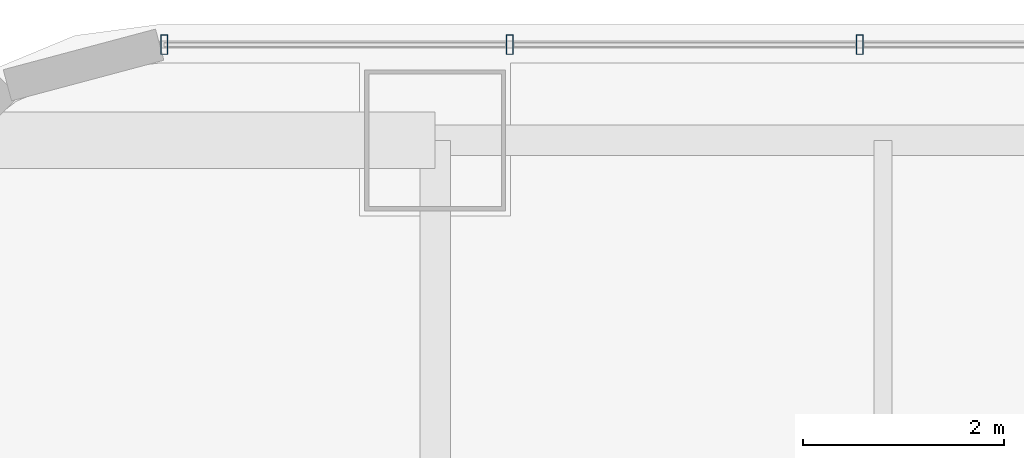
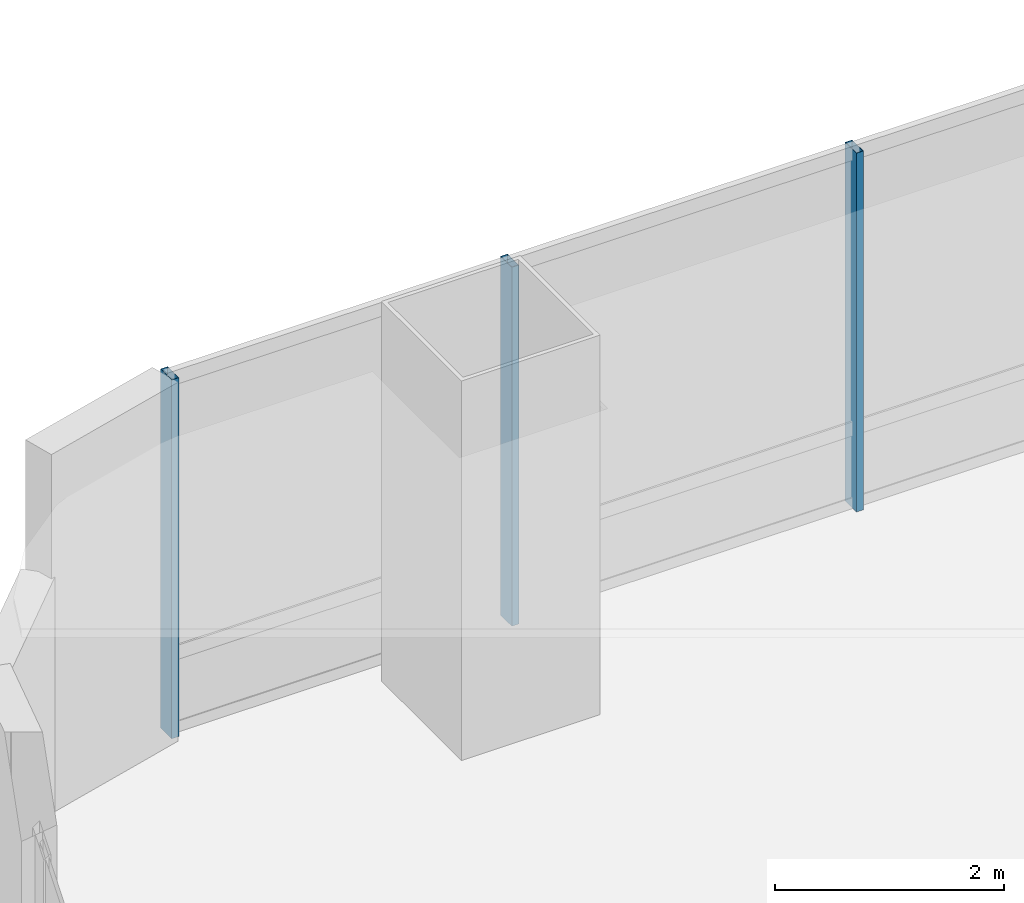
# One storey, part 19 of 38: 3 members, 1 element without a shape of its own.
"""IFC4 building model written with IfcOpenShell, lengths in metres."""

from ifc_helpers import new_model, si_unit, direction, frame, origin, origin_2d, place, context, subcontext, project, spatial, hollow_rectangle, extrude, material, material_profile, profile_set, type_object, element, aggregate, save


model = new_model("IFC4")

# Units and contexts
model_context = context("Model", 3, precision=1e-05, world=origin(), true_north=direction((0.0, 1.0)))
body_context = subcontext(model_context, "Body", "Model", "MODEL_VIEW")
ifc_project = project(units=[si_unit("LENGTHUNIT", "METRE"), si_unit("AREAUNIT", "SQUARE_METRE"), si_unit("VOLUMEUNIT", "CUBIC_METRE"), si_unit("PLANEANGLEUNIT", "RADIAN"), si_unit("MASSUNIT", "GRAM", prefix="KILO")], contexts=[model_context])

# Site, building, storey
site_placement = place(None, origin())
site = spatial("IfcSite", under=ifc_project, at=site_placement, CompositionType="ELEMENT")
building_placement = place(site_placement, origin())
building = spatial("IfcBuilding", under=site, at=building_placement, Name="Punatoya Terracotta Tower", CompositionType="ELEMENT")
storey_placement = place(building_placement, frame((0.0, 0.0, 188.39990234375)))
storey = spatial("IfcBuildingStorey", under=building, at=storey_placement, Name="L44", CompositionType="ELEMENT", Elevation=188.39990234375)

# Curtain wall, members
ifc_material_1 = material(Name="Aluminium 6063-T6 + Double Low-E Glass", Category="aluminium")
curtain_wall_type = type_object("IfcCurtainWallType", Name="CW-M2", PredefinedType="NOTDEFINED", material=ifc_material_1)
curtain_wall_placement = place(storey_placement, origin())
curtain_wall = element("IfcCurtainWall", 1, at=curtain_wall_placement, inside=storey, type_object=curtain_wall_type, Name="L44 Curtain Wall CW-L44-N09-2", PredefinedType="NOTDEFINED")
ifc_material_2 = material(Name="Aluminium 6063-T6", Category="aluminium")
ifc_material_profile = material_profile(ifc_material_2, hollow_rectangle(XDim=0.072021484375, YDim=0.195068359375, WallThickness=0.00439453125, at=origin_2d()))
ifc_profile_set = profile_set([ifc_material_profile], Name="Aluminium 6063-T6")
member_type = type_object("IfcMemberType", Name="CW-MUL-M2", PredefinedType="MULLION", material=ifc_profile_set)
member_1_placement = place(storey_placement, frame((-14.882080078125, 18.449951171875, 0.0), z_axis=(0.0, 0.0, 1.0), x_axis=(1.0, 0.0, 0.0)))
member_1 = element("IfcMember", 2, at=member_1_placement, type_object=member_type, Name="CW-L44-N09-2 Mullion 03", PredefinedType="MULLION", context=body_context, shape_type="SweptSolid", body=[
    extrude(hollow_rectangle(XDim=0.072021484375, YDim=0.195068359375, WallThickness=0.00439453125, at=origin_2d()), origin(), (0.0, 0.0, 1.0), 3.830078125),
])
member_2_placement = place(storey_placement, frame((-18.359619140625, 18.449951171875, 0.0), z_axis=(0.0, 0.0, 1.0), x_axis=(1.0, 0.0, 0.0)))
member_2 = element("IfcMember", 3, at=member_2_placement, type_object=member_type, Name="CW-L44-N09-2 Mullion 04", PredefinedType="MULLION", context=body_context, shape_type="SweptSolid", body=[
    extrude(hollow_rectangle(XDim=0.072021484375, YDim=0.195068359375, WallThickness=0.00439453125, at=origin_2d()), origin(), (0.0, 0.0, 1.0), 3.830078125),
])
member_3_placement = place(storey_placement, frame((-21.7919921875, 18.449951171875, 0.0), z_axis=(0.0, 0.0, 1.0), x_axis=(1.0, 0.0, 0.0)))
member_3 = element("IfcMember", 4, at=member_3_placement, type_object=member_type, Name="CW-L44-N09-2 Mullion 05", PredefinedType="MULLION", context=body_context, shape_type="SweptSolid", body=[
    extrude(hollow_rectangle(XDim=0.072021484375, YDim=0.195068359375, WallThickness=0.00439453125, at=origin_2d()), origin(), (0.0, 0.0, 1.0), 3.830078125),
])
aggregate(curtain_wall, [member_1, member_2, member_3])

save(model, "model.ifc")
